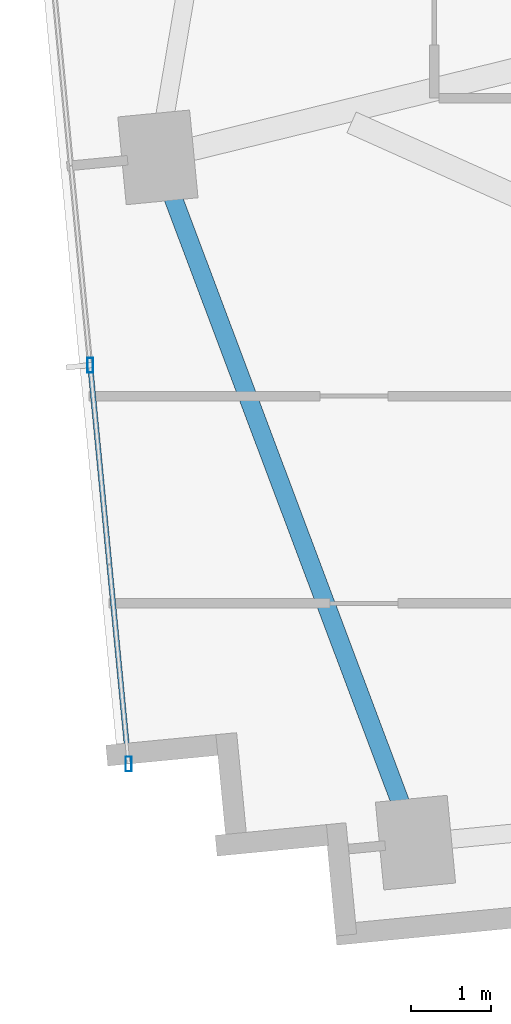
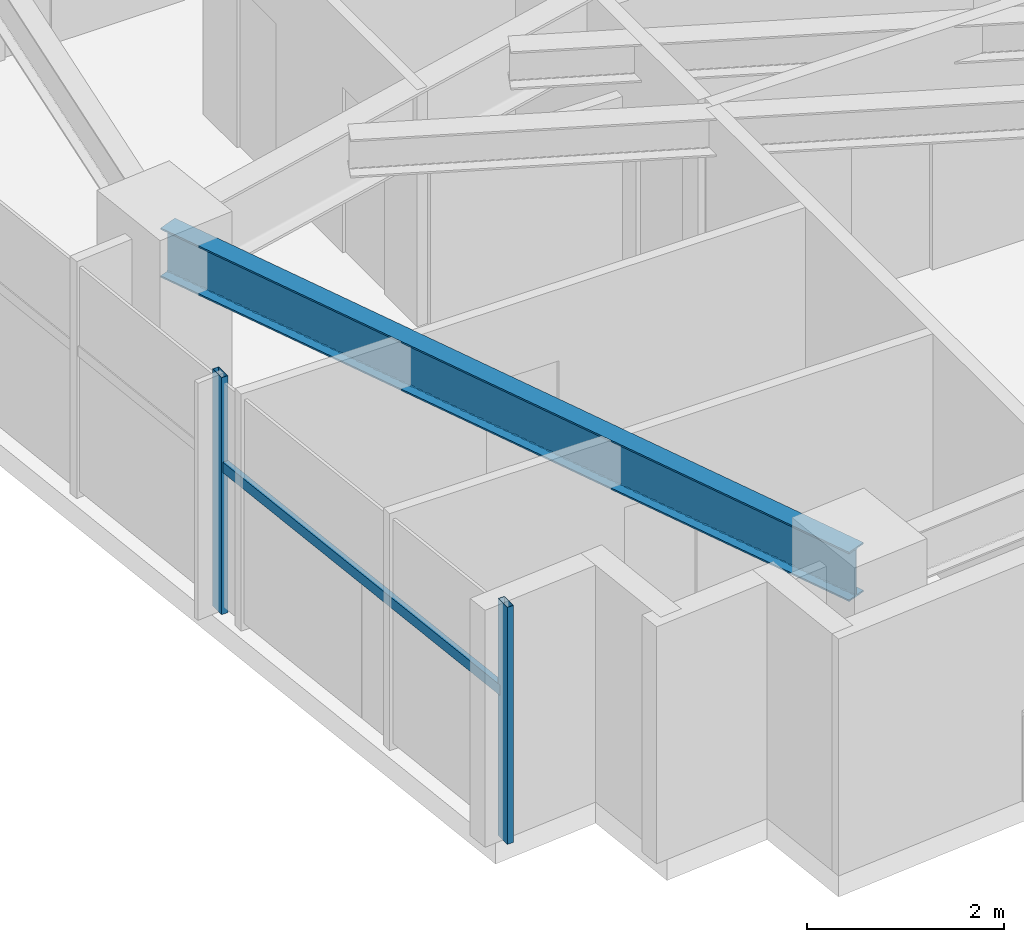
# One storey, part 2 of 27: 3 members, 1 beam, 1 element without a shape of its own.
"""IFC4 building model written with IfcOpenShell, lengths in metres."""

from ifc_helpers import new_model, si_unit, direction, frame, origin, origin_2d, place, context, subcontext, project, spatial, hollow_rectangle, i_section, extrude, source, transform, mapped, material, material_profile, profile_set, type_object, type_shapes, element, aggregate, save


model = new_model("IFC4")

# Units and contexts
model_context = context("Model", 3, precision=1e-05, world=origin(), true_north=direction((0.0, 1.0)))
body_context = subcontext(model_context, "Body", "Model", "MODEL_VIEW")
ifc_project = project(units=[si_unit("LENGTHUNIT", "METRE"), si_unit("AREAUNIT", "SQUARE_METRE"), si_unit("VOLUMEUNIT", "CUBIC_METRE"), si_unit("PLANEANGLEUNIT", "RADIAN"), si_unit("MASSUNIT", "GRAM", prefix="KILO")], contexts=[model_context])

# Site, building, storey
site_placement = place(None, origin())
site = spatial("IfcSite", under=ifc_project, at=site_placement, CompositionType="ELEMENT")
building_placement = place(site_placement, origin())
building = spatial("IfcBuilding", under=site, at=building_placement, Name="Astriad Promenade Condominiums", CompositionType="ELEMENT")
storey_placement = place(building_placement, frame((0.0, 0.0, 93.800048828125)))
storey = spatial("IfcBuildingStorey", under=building, at=storey_placement, Name="L26", CompositionType="ELEMENT", Elevation=93.800048828125)

# Beam
ifc_material_1 = material(Name="Steel ASTM A992 Grade 50", Category="steel")
ifc_material_profile_1 = material_profile(ifc_material_1, i_section(OverallWidth=0.22900390625, OverallDepth=0.612060546875, WebThickness=0.011962890625, FlangeThickness=0.01953125, FilletRadius=0.017822265625, at=origin_2d()), Name="W24X84")
ifc_profile_set_1 = profile_set([ifc_material_profile_1], Name="Steel ASTM A992 Grade 50")
beam_type = type_object("IfcBeamType", Name="STEEL SPANDREL BEAM W24X84", PredefinedType="SPANDREL", material=ifc_profile_set_1)
shared_shape_1 = source(origin(), body_context, "Body", "SweptSolid", [
    extrude(i_section(OverallWidth=0.22900390625, OverallDepth=0.612060546875, WebThickness=0.011962890625, FlangeThickness=0.01953125, FilletRadius=0.017822265625, at=origin_2d()), origin(), (0.0, 0.0, 1.0), 9.055419921875),
])
type_shapes(beam_type, [shared_shape_1])
beam_placement = place(storey_placement, frame((10.765625, 13.523193359375, 2.6337890625), z_axis=(0.351864937141, -0.936050781748, 0.0), x_axis=(0.936050781748, 0.351864937141, 0.0)))
element("IfcBeam", 1, at=beam_placement, inside=storey, type_object=beam_type, Name="Perimeter Spandrel Beam SP-W1-L26", PredefinedType="SPANDREL", context=body_context, shape_type="MappedRepresentation", body=[
    mapped(shared_shape_1, transform((0.0, 0.0, 0.0), scale=1.0)),
])

# Curtain wall, members
ifc_material_2 = material(Name="Anodised aluminium Black Dark Glass Unitised", Category="aluminium")
curtain_wall_type = type_object("IfcCurtainWallType", Name="CW-B2-DARK", PredefinedType="USERDEFINED", material=ifc_material_2)
curtain_wall_placement = place(storey_placement, origin())
curtain_wall = element("IfcCurtainWall", 2, at=curtain_wall_placement, inside=storey, type_object=curtain_wall_type, Name="CW-L26-W", ObjectType="UNITISED_CURTAIN_WALL", PredefinedType="USERDEFINED")
ifc_material_3 = material(Name="Anodised aluminium 6063-T6 Black", Category="aluminium")
ifc_material_profile_2 = material_profile(ifc_material_3, hollow_rectangle(XDim=0.074951171875, YDim=0.18505859375, WallThickness=0.00439453125, at=origin_2d()), Name="ALU-MUL-75X185")
ifc_profile_set_2 = profile_set([ifc_material_profile_2], Name="Anodised aluminium 6063-T6 Black")
member_type_1 = type_object("IfcMemberType", Name="MUL-ALU-MUL-75X185", PredefinedType="MULLION", material=ifc_profile_set_2)
shared_shape_2 = source(origin(), body_context, "Body", "SweptSolid", [
    extrude(hollow_rectangle(XDim=0.074951171875, YDim=0.18505859375, WallThickness=0.00439453125, at=origin_2d()), origin(), (0.0, 0.0, 1.0), 2.93994140625),
])
type_shapes(member_type_1, [shared_shape_2])
member_1_placement = place(storey_placement, frame((10.385498046875, 5.99072265625, 0.0), z_axis=(0.0, 0.0, 1.0), x_axis=(1.0, 0.0, 0.0)))
member_1 = element("IfcMember", 3, at=member_1_placement, type_object=member_type_1, Name="CW-L26-W-MUL-00", PredefinedType="MULLION", context=body_context, shape_type="MappedRepresentation", body=[
    mapped(shared_shape_2, transform((0.0, 0.0, 0.0), scale=1.0)),
])
member_2_placement = place(storey_placement, frame((9.90625, 10.9677734375, 0.0), z_axis=(0.0, 0.0, 1.0), x_axis=(1.0, 0.0, 0.0)))
member_2 = element("IfcMember", 4, at=member_2_placement, type_object=member_type_1, Name="CW-L26-W-MUL-01", PredefinedType="MULLION", context=body_context, shape_type="MappedRepresentation", body=[
    mapped(shared_shape_2, transform((0.0, 0.0, 0.0), scale=1.0)),
])
ifc_material_profile_3 = material_profile(ifc_material_3, hollow_rectangle(XDim=0.06494140625, YDim=0.1298828125, WallThickness=0.00390625, at=origin_2d()), Name="ALU-TRN-65X130")
ifc_profile_set_3 = profile_set([ifc_material_profile_3], Name="Anodised aluminium 6063-T6 Black")
member_type_2 = type_object("IfcMemberType", Name="TRN-ALU-TRN-65X130", PredefinedType="USERDEFINED", material=ifc_profile_set_3)
shared_shape_3 = source(origin(), body_context, "Body", "SweptSolid", [
    extrude(hollow_rectangle(XDim=0.06494140625, YDim=0.1298828125, WallThickness=0.00390625, at=origin_2d()), origin(), (0.0, 0.0, 1.0), 5.0),
])
type_shapes(member_type_2, [shared_shape_3])
member_3_placement = place(storey_placement, frame((10.385498046875, 5.99072265625, 1.82275390625), z_axis=(-0.095848242264, 0.995395958629, 0.0), x_axis=(-0.995395958629, -0.095848242264, 0.0)))
member_3 = element("IfcMember", 5, at=member_3_placement, type_object=member_type_2, Name="CW-L26-W-TRN-00-0", ObjectType="TRANSOM", PredefinedType="USERDEFINED", context=body_context, shape_type="MappedRepresentation", body=[
    mapped(shared_shape_3, transform((0.0, 0.0, 0.0), scale=1.0)),
])
aggregate(curtain_wall, [member_1, member_2, member_3])

save(model, "model.ifc")
